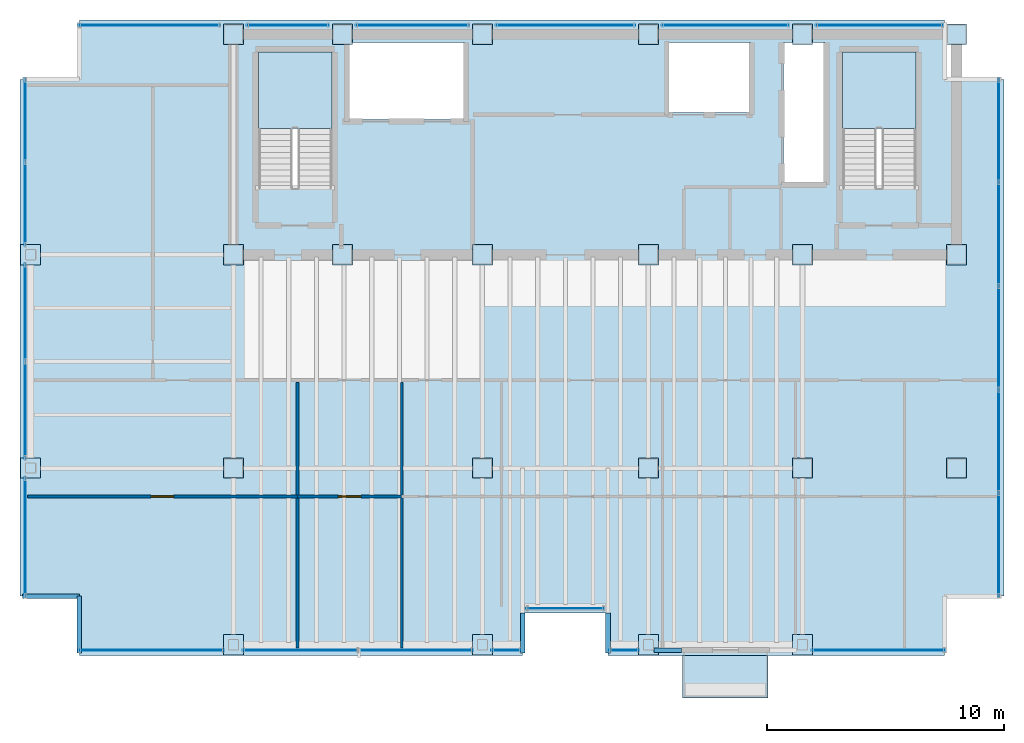
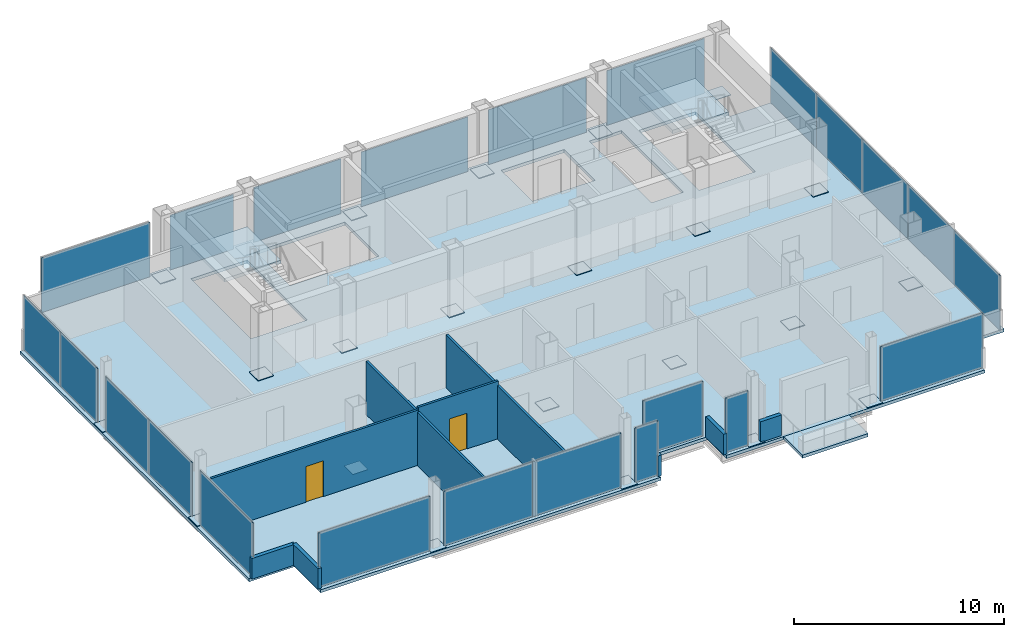
# One storey, part 13 of 17: 46 plates, 9 walls, 4 slabs, 2 doors, 7 openings, 18 elements without a shape of their own.
"""IFC4 building model written with IfcOpenShell, lengths in metres."""

from ifc_helpers import new_model, si_unit, direction, frame, frame_2d, origin, origin_2d, place, context, subcontext, project, spatial, polyline, rectangle, outline, extrude, material, layer, layer_set, type_object, element, fill, aggregate, save


model = new_model("IFC4")

# Units and contexts
model_context = context("Model", 3, precision=1e-05, world=origin(), true_north=direction((0.0, 1.0)))
body_context = subcontext(model_context, "Body", "Model", "MODEL_VIEW")
ifc_project = project(units=[si_unit("LENGTHUNIT", "METRE"), si_unit("AREAUNIT", "SQUARE_METRE"), si_unit("VOLUMEUNIT", "CUBIC_METRE"), si_unit("PLANEANGLEUNIT", "RADIAN"), si_unit("MASSUNIT", "GRAM", prefix="KILO")], contexts=[model_context])

# Site, building, storey
site_placement = place(None, origin())
site = spatial("IfcSite", under=ifc_project, at=site_placement, CompositionType="ELEMENT")
building_placement = place(site_placement, origin())
building = spatial("IfcBuilding", under=site, at=building_placement, Name="Noeulbin Bourse Tower", CompositionType="ELEMENT")
storey_placement = place(building_placement, frame((0.0, 0.0, 246.199951171875)))
storey = spatial("IfcBuildingStorey", under=building, at=storey_placement, Name="L61", CompositionType="ELEMENT", Elevation=246.199951171875)

# Curtain wall, plate
ifc_material_1 = material(Name="High-Selectivity Low-Iron Glazing", Category="glass")
curtain_wall_type = type_object("IfcCurtainWallType", Name="CW-SYS-4", PredefinedType="NOTDEFINED", material=ifc_material_1)
curtain_wall_1_placement = place(storey_placement, origin())
curtain_wall_1 = element("IfcCurtainWall", 1, at=curtain_wall_1_placement, inside=storey, type_object=curtain_wall_type, Name="Unitised Curtain Wall CW-L61-SREC", PredefinedType="NOTDEFINED")
ifc_layer_1 = layer(ifc_material_1, 0.035888671875)
ifc_layer_set_1 = layer_set([ifc_layer_1], Name="High-Selectivity Low-Iron Glazing")
plate_type_1 = type_object("IfcPlateType", Name="CW-SYS-4-PNL", PredefinedType="CURTAIN_PANEL", material=ifc_layer_set_1)
plate_1_placement = place(storey_placement, frame((27.5, 14.080078125, 0.0), z_axis=(0.0, 0.0, 1.0), x_axis=(1.0, 0.0, 0.0)))
plate_1 = element("IfcPlate", 2, at=plate_1_placement, type_object=plate_type_1, Name="Glazed Curtain Panel CW-L61-SREC-P00", PredefinedType="CURTAIN_PANEL", context=body_context, shape_type="SweptSolid", body=[
    extrude(rectangle(XDim=3.300048828125, YDim=0.035888671875, at=origin_2d()), origin(), (0.0, 0.0, 1.0), 3.179931640625),
])
aggregate(curtain_wall_1, [plate_1])

curtain_wall_2_placement = place(storey_placement, origin())
curtain_wall_2 = element("IfcCurtainWall", 3, at=curtain_wall_2_placement, inside=storey, type_object=curtain_wall_type, Name="Unitised Curtain Wall CW-L61-S1-S1", PredefinedType="NOTDEFINED")
plate_2_placement = place(storey_placement, frame((10.047607421875, 12.320068359375, 0.0), z_axis=(0.0, 0.0, 1.0), x_axis=(1.0, 0.0, 0.0)))
plate_2 = element("IfcPlate", 4, at=plate_2_placement, type_object=plate_type_1, Name="Glazed Curtain Panel CW-L61-S1-S1-P00", PredefinedType="CURTAIN_PANEL", context=body_context, shape_type="SweptSolid", body=[
    extrude(rectangle(XDim=6.135009765625, YDim=0.035888671875, at=origin_2d()), origin(), (0.0, 0.0, 1.0), 3.179931640625),
])
aggregate(curtain_wall_2, [plate_2])

# Curtain wall, plates
curtain_wall_3_placement = place(storey_placement, origin())
curtain_wall_3 = element("IfcCurtainWall", 5, at=curtain_wall_3_placement, inside=storey, type_object=curtain_wall_type, Name="Unitised Curtain Wall CW-L61-S1-S2", PredefinedType="NOTDEFINED")
plate_3_placement = place(storey_placement, frame((16.3173828125, 12.320068359375, 0.0), z_axis=(0.0, 0.0, 1.0), x_axis=(1.0, 0.0, 0.0)))
plate_3 = element("IfcPlate", 6, at=plate_3_placement, type_object=plate_type_1, Name="Glazed Curtain Panel CW-L61-S1-S2-P00", PredefinedType="CURTAIN_PANEL", context=body_context, shape_type="SweptSolid", body=[
    extrude(rectangle(XDim=4.864990234375, YDim=0.035888671875, at=origin_2d()), origin(), (0.0, 0.0, 1.0), 3.179931640625),
])
plate_4_placement = place(storey_placement, frame((21.1826171875, 12.320068359375, 0.0), z_axis=(0.0, 0.0, 1.0), x_axis=(1.0, 0.0, 0.0)))
plate_4 = element("IfcPlate", 7, at=plate_4_placement, type_object=plate_type_1, Name="Glazed Curtain Panel CW-L61-S1-S2-P01", PredefinedType="CURTAIN_PANEL", context=body_context, shape_type="SweptSolid", body=[
    extrude(rectangle(XDim=4.864990234375, YDim=0.035888671875, at=origin_2d()), origin(), (0.0, 0.0, 1.0), 3.179931640625),
])
aggregate(curtain_wall_3, [plate_3, plate_4])

# Curtain wall, plate
curtain_wall_4_placement = place(storey_placement, origin())
curtain_wall_4 = element("IfcCurtainWall", 8, at=curtain_wall_4_placement, inside=storey, type_object=curtain_wall_type, Name="Unitised Curtain Wall CW-L61-S1-S3", PredefinedType="NOTDEFINED")
plate_5_placement = place(storey_placement, frame((25.017578125, 12.320068359375, 0.0), z_axis=(0.0, 0.0, 1.0), x_axis=(1.0, 0.0, 0.0)))
plate_5 = element("IfcPlate", 9, at=plate_5_placement, type_object=plate_type_1, Name="Glazed Curtain Panel CW-L61-S1-S3-P00", PredefinedType="CURTAIN_PANEL", context=body_context, shape_type="SweptSolid", body=[
    extrude(rectangle(XDim=1.264892578125, YDim=0.035888671875, at=origin_2d()), origin(), (0.0, 0.0, 1.0), 3.179931640625),
])
aggregate(curtain_wall_4, [plate_5])

curtain_wall_5_placement = place(storey_placement, origin())
curtain_wall_5 = element("IfcCurtainWall", 10, at=curtain_wall_5_placement, inside=storey, type_object=curtain_wall_type, Name="Unitised Curtain Wall CW-L61-S2", PredefinedType="NOTDEFINED")
plate_6_placement = place(storey_placement, frame((29.982421875, 12.320068359375, 0.0), z_axis=(0.0, 0.0, 1.0), x_axis=(1.0, 0.0, 0.0)))
plate_6 = element("IfcPlate", 11, at=plate_6_placement, type_object=plate_type_1, Name="Glazed Curtain Panel CW-L61-S2-P00", PredefinedType="CURTAIN_PANEL", context=body_context, shape_type="SweptSolid", body=[
    extrude(rectangle(XDim=1.264892578125, YDim=0.035888671875, at=origin_2d()), origin(), (0.0, 0.0, 1.0), 3.179931640625),
])
aggregate(curtain_wall_5, [plate_6])

curtain_wall_6_placement = place(storey_placement, origin())
curtain_wall_6 = element("IfcCurtainWall", 12, at=curtain_wall_6_placement, inside=storey, type_object=curtain_wall_type, Name="Unitised Curtain Wall CW-L61-S3", PredefinedType="NOTDEFINED")
plate_7_placement = place(storey_placement, frame((40.702392578125, 12.320068359375, 0.0), z_axis=(0.0, 0.0, 1.0), x_axis=(1.0, 0.0, 0.0)))
plate_7 = element("IfcPlate", 13, at=plate_7_placement, type_object=plate_type_1, Name="Glazed Curtain Panel CW-L61-S3-P00", PredefinedType="CURTAIN_PANEL", context=body_context, shape_type="SweptSolid", body=[
    extrude(rectangle(XDim=5.635009765625, YDim=0.035888671875, at=origin_2d()), origin(), (0.0, 0.0, 1.0), 3.179931640625),
])
aggregate(curtain_wall_6, [plate_7])

curtain_wall_7_placement = place(storey_placement, origin())
curtain_wall_7 = element("IfcCurtainWall", 14, at=curtain_wall_7_placement, inside=storey, type_object=curtain_wall_type, Name="Unitised Curtain Wall CW-L61-N-S1", PredefinedType="NOTDEFINED")
plate_8_placement = place(storey_placement, frame((9.9599609375, 38.679931640625, 0.0), z_axis=(0.0, 0.0, 1.0), x_axis=(1.0, 0.0, 0.0)))
plate_8 = element("IfcPlate", 15, at=plate_8_placement, type_object=plate_type_1, Name="Glazed Curtain Panel CW-L61-N-S1-P00", PredefinedType="CURTAIN_PANEL", context=body_context, shape_type="SweptSolid", body=[
    extrude(rectangle(XDim=5.9599609375, YDim=0.035888671875, at=origin_2d()), origin(), (0.0, 0.0, 1.0), 3.179931640625),
])
aggregate(curtain_wall_7, [plate_8])

curtain_wall_8_placement = place(storey_placement, origin())
curtain_wall_8 = element("IfcCurtainWall", 16, at=curtain_wall_8_placement, inside=storey, type_object=curtain_wall_type, Name="Unitised Curtain Wall CW-L61-N-S2", PredefinedType="NOTDEFINED")
plate_9_placement = place(storey_placement, frame((15.800048828125, 38.679931640625, 0.0), z_axis=(0.0, 0.0, 1.0), x_axis=(1.0, 0.0, 0.0)))
plate_9 = element("IfcPlate", 17, at=plate_9_placement, type_object=plate_type_1, Name="Glazed Curtain Panel CW-L61-N-S2-P00", PredefinedType="CURTAIN_PANEL", context=body_context, shape_type="SweptSolid", body=[
    extrude(rectangle(XDim=3.47998046875, YDim=0.035888671875, at=origin_2d()), origin(), (0.0, 0.0, 1.0), 3.179931640625),
])
aggregate(curtain_wall_8, [plate_9])

curtain_wall_9_placement = place(storey_placement, origin())
curtain_wall_9 = element("IfcCurtainWall", 18, at=curtain_wall_9_placement, inside=storey, type_object=curtain_wall_type, Name="Unitised Curtain Wall CW-L61-N-S3", PredefinedType="NOTDEFINED")
plate_10_placement = place(storey_placement, frame((21.050048828125, 38.679931640625, 0.0), z_axis=(0.0, 0.0, 1.0), x_axis=(1.0, 0.0, 0.0)))
plate_10 = element("IfcPlate", 19, at=plate_10_placement, type_object=plate_type_1, Name="Glazed Curtain Panel CW-L61-N-S3-P00", PredefinedType="CURTAIN_PANEL", context=body_context, shape_type="SweptSolid", body=[
    extrude(rectangle(XDim=4.780029296875, YDim=0.035888671875, at=origin_2d()), origin(), (0.0, 0.0, 1.0), 3.179931640625),
])
aggregate(curtain_wall_9, [plate_10])

curtain_wall_10_placement = place(storey_placement, origin())
curtain_wall_10 = element("IfcCurtainWall", 20, at=curtain_wall_10_placement, inside=storey, type_object=curtain_wall_type, Name="Unitised Curtain Wall CW-L61-N-S4", PredefinedType="NOTDEFINED")
plate_11_placement = place(storey_placement, frame((27.5, 38.679931640625, 0.0), z_axis=(0.0, 0.0, 1.0), x_axis=(1.0, 0.0, 0.0)))
plate_11 = element("IfcPlate", 21, at=plate_11_placement, type_object=plate_type_1, Name="Glazed Curtain Panel CW-L61-N-S4-P00", PredefinedType="CURTAIN_PANEL", context=body_context, shape_type="SweptSolid", body=[
    extrude(rectangle(XDim=5.8798828125, YDim=0.035888671875, at=origin_2d()), origin(), (0.0, 0.0, 1.0), 3.179931640625),
])
aggregate(curtain_wall_10, [plate_11])

curtain_wall_11_placement = place(storey_placement, origin())
curtain_wall_11 = element("IfcCurtainWall", 22, at=curtain_wall_11_placement, inside=storey, type_object=curtain_wall_type, Name="Unitised Curtain Wall CW-L61-N-S5", PredefinedType="NOTDEFINED")
plate_12_placement = place(storey_placement, frame((34.25, 38.679931640625, 0.0), z_axis=(0.0, 0.0, 1.0), x_axis=(1.0, 0.0, 0.0)))
plate_12 = element("IfcPlate", 23, at=plate_12_placement, type_object=plate_type_1, Name="Glazed Curtain Panel CW-L61-N-S5-P00", PredefinedType="CURTAIN_PANEL", context=body_context, shape_type="SweptSolid", body=[
    extrude(rectangle(XDim=5.3798828125, YDim=0.035888671875, at=origin_2d()), origin(), (0.0, 0.0, 1.0), 3.179931640625),
])
aggregate(curtain_wall_11, [plate_12])

curtain_wall_12_placement = place(storey_placement, origin())
curtain_wall_12 = element("IfcCurtainWall", 24, at=curtain_wall_12_placement, inside=storey, type_object=curtain_wall_type, Name="Unitised Curtain Wall CW-L61-N-S6", PredefinedType="NOTDEFINED")
plate_13_placement = place(storey_placement, frame((40.75, 38.679931640625, 0.0), z_axis=(0.0, 0.0, 1.0), x_axis=(1.0, 0.0, 0.0)))
plate_13 = element("IfcPlate", 25, at=plate_13_placement, type_object=plate_type_1, Name="Glazed Curtain Panel CW-L61-N-S6-P00", PredefinedType="CURTAIN_PANEL", context=body_context, shape_type="SweptSolid", body=[
    extrude(rectangle(XDim=5.3798828125, YDim=0.035888671875, at=origin_2d()), origin(), (0.0, 0.0, 1.0), 3.179931640625),
])
aggregate(curtain_wall_12, [plate_13])

curtain_wall_13_placement = place(storey_placement, origin())
curtain_wall_13 = element("IfcCurtainWall", 26, at=curtain_wall_13_placement, inside=storey, type_object=curtain_wall_type, Name="Unitised Curtain Wall CW-L61-W-S1", PredefinedType="NOTDEFINED")
plate_14_placement = place(storey_placement, frame((4.719970703125, 17.097412109375, 0.0), z_axis=(0.0, 0.0, 1.0), x_axis=(0.0, 1.0, 0.0)))
plate_14 = element("IfcPlate", 27, at=plate_14_placement, type_object=plate_type_1, Name="Glazed Curtain Panel CW-L61-W-S1-P00", PredefinedType="CURTAIN_PANEL", context=body_context, shape_type="SweptSolid", body=[
    extrude(rectangle(XDim=5.034912109375, YDim=0.035888671875, at=origin_2d()), origin(), (0.0, 0.0, 1.0), 3.179931640625),
])
aggregate(curtain_wall_13, [plate_14])

# Curtain wall, plates
curtain_wall_14_placement = place(storey_placement, origin())
curtain_wall_14 = element("IfcCurtainWall", 28, at=curtain_wall_14_placement, inside=storey, type_object=curtain_wall_type, Name="Unitised Curtain Wall CW-L61-W-S2", PredefinedType="NOTDEFINED")
plate_15_placement = place(storey_placement, frame((4.719970703125, 22.4423828125, 0.0), z_axis=(0.0, 0.0, 1.0), x_axis=(0.0, 1.0, 0.0)))
plate_15 = element("IfcPlate", 29, at=plate_15_placement, type_object=plate_type_1, Name="Glazed Curtain Panel CW-L61-W-S2-P00", PredefinedType="CURTAIN_PANEL", context=body_context, shape_type="SweptSolid", body=[
    extrude(rectangle(XDim=4.114990234375, YDim=0.035888671875, at=origin_2d()), origin(), (0.0, 0.0, 1.0), 3.179931640625),
])
plate_16_placement = place(storey_placement, frame((4.719970703125, 26.5576171875, 0.0), z_axis=(0.0, 0.0, 1.0), x_axis=(0.0, 1.0, 0.0)))
plate_16 = element("IfcPlate", 30, at=plate_16_placement, type_object=plate_type_1, Name="Glazed Curtain Panel CW-L61-W-S2-P01", PredefinedType="CURTAIN_PANEL", context=body_context, shape_type="SweptSolid", body=[
    extrude(rectangle(XDim=4.114990234375, YDim=0.035888671875, at=origin_2d()), origin(), (0.0, 0.0, 1.0), 3.179931640625),
])
aggregate(curtain_wall_14, [plate_15, plate_16])

curtain_wall_15_placement = place(storey_placement, origin())
curtain_wall_15 = element("IfcCurtainWall", 31, at=curtain_wall_15_placement, inside=storey, type_object=curtain_wall_type, Name="Unitised Curtain Wall CW-L61-W-S3", PredefinedType="NOTDEFINED")
plate_17_placement = place(storey_placement, frame((4.719970703125, 31.143798828125, 0.0), z_axis=(0.0, 0.0, 1.0), x_axis=(0.0, 1.0, 0.0)))
plate_17 = element("IfcPlate", 32, at=plate_17_placement, type_object=plate_type_1, Name="Glazed Curtain Panel CW-L61-W-S3-P00", PredefinedType="CURTAIN_PANEL", context=body_context, shape_type="SweptSolid", body=[
    extrude(rectangle(XDim=3.517578125, YDim=0.035888671875, at=origin_2d()), origin(), (0.0, 0.0, 1.0), 3.179931640625),
])
plate_18_placement = place(storey_placement, frame((4.719970703125, 34.661376953125, 0.0), z_axis=(0.0, 0.0, 1.0), x_axis=(0.0, 1.0, 0.0)))
plate_18 = element("IfcPlate", 33, at=plate_18_placement, type_object=plate_type_1, Name="Glazed Curtain Panel CW-L61-W-S3-P01", PredefinedType="CURTAIN_PANEL", context=body_context, shape_type="SweptSolid", body=[
    extrude(rectangle(XDim=3.517578125, YDim=0.035888671875, at=origin_2d()), origin(), (0.0, 0.0, 1.0), 3.179931640625),
])
aggregate(curtain_wall_15, [plate_17, plate_18])

curtain_wall_16_placement = place(storey_placement, origin())
curtain_wall_16 = element("IfcCurtainWall", 34, at=curtain_wall_16_placement, inside=storey, type_object=curtain_wall_type, Name="Unitised Curtain Wall CW-L61-E", PredefinedType="NOTDEFINED")
plate_19_placement = place(storey_placement, frame((45.780029296875, 16.763916015625, 0.0), z_axis=(0.0, 0.0, 1.0), x_axis=(0.0, 1.0, 0.0)))
plate_19 = element("IfcPlate", 35, at=plate_19_placement, type_object=plate_type_1, Name="Glazed Curtain Panel CW-L61-E-P00", PredefinedType="CURTAIN_PANEL", context=body_context, shape_type="SweptSolid", body=[
    extrude(rectangle(XDim=4.367919921875, YDim=0.035888671875, at=origin_2d()), origin(), (0.0, 0.0, 1.0), 3.179931640625),
])
plate_20_placement = place(storey_placement, frame((45.780029296875, 21.132080078125, 0.0), z_axis=(0.0, 0.0, 1.0), x_axis=(0.0, 1.0, 0.0)))
plate_20 = element("IfcPlate", 36, at=plate_20_placement, type_object=plate_type_1, Name="Glazed Curtain Panel CW-L61-E-P01", PredefinedType="CURTAIN_PANEL", context=body_context, shape_type="SweptSolid", body=[
    extrude(rectangle(XDim=4.367919921875, YDim=0.035888671875, at=origin_2d()), origin(), (0.0, 0.0, 1.0), 3.179931640625),
])
plate_21_placement = place(storey_placement, frame((45.780029296875, 25.5, 0.0), z_axis=(0.0, 0.0, 1.0), x_axis=(0.0, 1.0, 0.0)))
plate_21 = element("IfcPlate", 37, at=plate_21_placement, type_object=plate_type_1, Name="Glazed Curtain Panel CW-L61-E-P02", PredefinedType="CURTAIN_PANEL", context=body_context, shape_type="SweptSolid", body=[
    extrude(rectangle(XDim=4.367919921875, YDim=0.035888671875, at=origin_2d()), origin(), (0.0, 0.0, 1.0), 3.179931640625),
])
plate_22_placement = place(storey_placement, frame((45.780029296875, 29.867919921875, 0.0), z_axis=(0.0, 0.0, 1.0), x_axis=(0.0, 1.0, 0.0)))
plate_22 = element("IfcPlate", 38, at=plate_22_placement, type_object=plate_type_1, Name="Glazed Curtain Panel CW-L61-E-P03", PredefinedType="CURTAIN_PANEL", context=body_context, shape_type="SweptSolid", body=[
    extrude(rectangle(XDim=4.367919921875, YDim=0.035888671875, at=origin_2d()), origin(), (0.0, 0.0, 1.0), 3.179931640625),
])
plate_23_placement = place(storey_placement, frame((45.780029296875, 34.236083984375, 0.0), z_axis=(0.0, 0.0, 1.0), x_axis=(0.0, 1.0, 0.0)))
plate_23 = element("IfcPlate", 39, at=plate_23_placement, type_object=plate_type_1, Name="Glazed Curtain Panel CW-L61-E-P04", PredefinedType="CURTAIN_PANEL", context=body_context, shape_type="SweptSolid", body=[
    extrude(rectangle(XDim=4.367919921875, YDim=0.035888671875, at=origin_2d()), origin(), (0.0, 0.0, 1.0), 3.179931640625),
])
aggregate(curtain_wall_16, [plate_19, plate_20, plate_21, plate_22, plate_23])

# Plates
ifc_material_2 = material(Name="Steel S355", Category="steel")
ifc_layer_2 = layer(ifc_material_2, 0.030029296875)
ifc_layer_set_2 = layer_set([ifc_layer_2], Name="Steel S355")
plate_type_2 = type_object("IfcPlateType", Name="PLT-BN1", PredefinedType="USERDEFINED", material=ifc_layer_set_2)
for number, where, z_axis, x_axis, name in (
    (40, (13.5, 29.0, 0.0048828125), (0.0, 0.0, 1.0), (1.0, 0.0, 0.0), "Mega-Column Splice Plate BN1-L61-01"),
    (41, (13.5, 38.300048828125, 0.0048828125), (0.0, 0.0, 1.0), (1.0, 0.0, 0.0), "Mega-Column Splice Plate BN1-L61-02"),
    (42, (18.10009765625, 29.0, 0.0048828125), (0.0, 0.0, 1.0), (1.0, 0.0, 0.0), "Mega-Column Splice Plate BN1-L61-03"),
    (43, (18.10009765625, 38.300048828125, 0.0048828125), (0.0, 0.0, 1.0), (1.0, 0.0, 0.0), "Mega-Column Splice Plate BN1-L61-04"),
    (44, (24.0, 29.0, 0.0048828125), (0.0, 0.0, 1.0), (1.0, 0.0, 0.0), "Mega-Column Splice Plate BN1-L61-05"),
    (45, (24.0, 38.300048828125, 0.0048828125), (0.0, 0.0, 1.0), (1.0, 0.0, 0.0), "Mega-Column Splice Plate BN1-L61-06"),
    (46, (31.0, 29.0, 0.0048828125), (0.0, 0.0, 1.0), (1.0, 0.0, 0.0), "Mega-Column Splice Plate BN1-L61-07"),
    (47, (31.0, 38.300048828125, 0.0048828125), (0.0, 0.0, 1.0), (1.0, 0.0, 0.0), "Mega-Column Splice Plate BN1-L61-08"),
    (48, (37.5, 29.0, 0.0048828125), (0.0, 0.0, 1.0), (1.0, 0.0, 0.0), "Mega-Column Splice Plate BN1-L61-09"),
    (49, (37.5, 38.300048828125, 0.0048828125), (0.0, 0.0, 1.0), (1.0, 0.0, 0.0), "Mega-Column Splice Plate BN1-L61-10"),
    (50, (44.0, 29.0, 0.0048828125), (0.0, 0.0, 1.0), (1.0, 0.0, 0.0), "Mega-Column Splice Plate BN1-L61-11"),
    (51, (44.0, 38.300048828125, 0.0048828125), (0.0, 0.0, 1.0), (1.0, 0.0, 0.0), "Mega-Column Splice Plate BN1-L61-12"),
    (52, (13.5, 20.0, 0.0048828125), (0.0, 0.0, 1.0), (1.0, 0.0, 0.0), "Mega-Column Splice Plate BN1-L61-13"),
    (53, (24.0, 20.0, 0.0048828125), (0.0, 0.0, 1.0), (1.0, 0.0, 0.0), "Mega-Column Splice Plate BN1-L61-14"),
    (54, (31.0, 20.0, 0.0048828125), (0.0, 0.0, 1.0), (1.0, 0.0, 0.0), "Mega-Column Splice Plate BN1-L61-15"),
    (55, (37.5, 20.0, 0.0048828125), (0.0, 0.0, 1.0), (1.0, 0.0, 0.0), "Mega-Column Splice Plate BN1-L61-16"),
    (56, (44.0, 20.0, 0.0048828125), (0.0, 0.0, 1.0), (1.0, 0.0, 0.0), "Mega-Column Splice Plate BN1-L61-17"),
    (57, (4.949951171875, 20.0, 0.0048828125), (0.0, 0.0, 1.0), (1.0, 0.0, 0.0), "Perimeter Column Splice Plate BN1-L61-01"),
    (58, (4.949951171875, 29.0, 0.0048828125), (0.0, 0.0, 1.0), (1.0, 0.0, 0.0), "Perimeter Column Splice Plate BN1-L61-02"),
    (59, (13.5, 12.550048828125, 0.0048828125), (0.0, 0.0, 1.0), (1.0, 0.0, 0.0), "Perimeter Column Splice Plate BN1-L61-03"),
    (60, (24.0, 12.550048828125, 0.0048828125), (0.0, 0.0, 1.0), (1.0, 0.0, 0.0), "Perimeter Column Splice Plate BN1-L61-04"),
    (61, (31.0, 12.550048828125, 0.0048828125), (0.0, 0.0, 1.0), (1.0, 0.0, 0.0), "Perimeter Column Splice Plate BN1-L61-05"),
    (62, (37.5, 12.550048828125, 0.0048828125), (0.0, 0.0, 1.0), (1.0, 0.0, 0.0), "Perimeter Column Splice Plate BN1-L61-06"),
):
    element("IfcPlate", number, at=place(storey_placement, frame(where, z_axis=z_axis, x_axis=x_axis)), inside=storey, type_object=plate_type_2, Name=name, ObjectType="SPLICE PLATE", PredefinedType="USERDEFINED", context=body_context, shape_type="SweptSolid", body=[
        extrude(rectangle(XDim=0.85009765625, YDim=0.85009765625, at=origin_2d()), origin(), (0.0, 0.0, 1.0), 0.030029296875),
    ])

# Stair, slab
ifc_material_3 = material(Name="Concrete C40/50", Category="concrete")
stair_type = type_object("IfcStairType", Name="STR-CORE-1560", PredefinedType="HALF_TURN_STAIR", material=ifc_material_3)
stair_1_placement = place(storey_placement, origin())
stair_1 = element("IfcStair", 63, at=stair_1_placement, inside=storey, type_object=stair_type, Name="L61 ST-1", PredefinedType="HALF_TURN_STAIR")
ifc_layer_3 = layer(ifc_material_3, 0.199951171875)
ifc_layer_set_3 = layer_set([ifc_layer_3], Name="Concrete C40/50")
slab_type_1 = type_object("IfcSlabType", Name="SLB-LND-200", PredefinedType="LANDING", material=ifc_layer_set_3)
slab_1_placement = place(storey_placement, frame((0.0, 0.0, 1.75)))
slab_1 = element("IfcSlab", 64, at=slab_1_placement, type_object=slab_type_1, Name="ST-1 landing 1", PredefinedType="LANDING", context=body_context, shape_type="SweptSolid", body=[
    extrude(outline(polyline([(17.64990234375, 34.330078125), (17.64990234375, 37.5439453125), (14.550048828125, 37.5439453125), (14.550048828125, 34.330078125), (17.64990234375, 34.330078125)])), origin(), (0.0, 0.0, 1.0), 0.199951171875),
])
aggregate(stair_1, [slab_1])

stair_2_placement = place(storey_placement, origin())
stair_2 = element("IfcStair", 65, at=stair_2_placement, inside=storey, type_object=stair_type, Name="L61 ST-2", PredefinedType="HALF_TURN_STAIR")
slab_2_placement = place(storey_placement, frame((0.0, 0.0, 1.75)))
slab_2 = element("IfcSlab", 66, at=slab_2_placement, type_object=slab_type_1, Name="ST-2 landing 1", PredefinedType="LANDING", context=body_context, shape_type="SweptSolid", body=[
    extrude(outline(polyline([(42.280029296875, 34.330078125), (42.280029296875, 37.5439453125), (39.179931640625, 37.5439453125), (39.179931640625, 34.330078125), (42.280029296875, 34.330078125)])), origin(), (0.0, 0.0, 1.0), 0.199951171875),
])
aggregate(stair_2, [slab_2])

# Slab, openings
ifc_layer_4 = layer(ifc_material_3, 0.179931640625)
ifc_layer_set_4 = layer_set([ifc_layer_4], Name="Concrete C40/50")
slab_type_2 = type_object("IfcSlabType", Name="SLB-TYP-180", PredefinedType="FLOOR", material=ifc_layer_set_4)
slab_3_placement = place(storey_placement, frame((0.0, 0.0, -0.179931640625)))
slab_3 = element("IfcSlab", 67, at=slab_3_placement, inside=storey, type_object=slab_type_2, Name="Tower Structural Floor Slab L61", PredefinedType="FLOOR", context=body_context, shape_type="SweptSolid", body=[
    extrude(outline(polyline([(7.0, 12.10009765625), (25.699951171875, 12.10009765625), (25.699951171875, 13.89990234375), (29.300048828125, 13.89990234375), (29.300048828125, 12.10009765625), (43.5, 12.10009765625), (43.5, 14.60009765625), (46.0, 14.60009765625), (46.0, 36.39990234375), (43.5, 36.39990234375), (43.5, 38.89990234375), (7.0, 38.89990234375), (7.0, 36.39990234375), (4.5, 36.39990234375), (4.5, 14.60009765625), (7.0, 14.60009765625), (7.0, 12.10009765625)]), holes=[polyline([(17.64990234375, 31.81005859375), (17.64990234375, 37.5439453125), (14.550048828125, 37.5439453125), (14.550048828125, 31.81005859375), (17.64990234375, 31.81005859375)]), polyline([(42.280029296875, 31.81005859375), (42.280029296875, 37.5439453125), (39.179931640625, 37.5439453125), (39.179931640625, 31.81005859375), (42.280029296875, 31.81005859375)]), polyline([(18.35009765625, 34.699951171875), (23.25, 34.699951171875), (23.25, 37.949951171875), (18.35009765625, 37.949951171875), (18.35009765625, 34.699951171875)]), polyline([(36.699951171875, 32.050048828125), (38.449951171875, 32.050048828125), (38.449951171875, 37.949951171875), (36.699951171875, 37.949951171875), (36.699951171875, 32.050048828125)]), polyline([(31.85009765625, 35.0), (35.300048828125, 35.0), (35.300048828125, 37.949951171875), (31.85009765625, 37.949951171875), (31.85009765625, 35.0)])]), origin(), (0.0, 0.0, 1.0), 0.179931640625),
])
opening_1_placement = place(slab_3_placement, frame((0.0, 0.0, -0.010009765625)))
element("IfcOpeningElement", 68, at=opening_1_placement, cuts=slab_3, Name="Slab Shaft Opening SLB-L61-TWR-1", PredefinedType="OPENING", context=body_context, shape_type="SweptSolid", body=[
    extrude(outline(polyline([(17.64990234375, 31.81005859375), (17.64990234375, 37.5439453125), (14.550048828125, 37.5439453125), (14.550048828125, 31.81005859375), (17.64990234375, 31.81005859375)])), origin(), (0.0, 0.0, 1.0), 0.199951171875),
])
opening_2_placement = place(slab_3_placement, frame((0.0, 0.0, -0.010009765625)))
element("IfcOpeningElement", 69, at=opening_2_placement, cuts=slab_3, Name="Slab Shaft Opening SLB-L61-TWR-2", PredefinedType="OPENING", context=body_context, shape_type="SweptSolid", body=[
    extrude(outline(polyline([(42.280029296875, 31.81005859375), (42.280029296875, 37.5439453125), (39.179931640625, 37.5439453125), (39.179931640625, 31.81005859375), (42.280029296875, 31.81005859375)])), origin(), (0.0, 0.0, 1.0), 0.199951171875),
])
opening_3_placement = place(slab_3_placement, frame((0.0, 0.0, -0.010009765625)))
element("IfcOpeningElement", 70, at=opening_3_placement, cuts=slab_3, Name="Slab Shaft Opening SLB-L61-TWR-3", PredefinedType="OPENING", context=body_context, shape_type="SweptSolid", body=[
    extrude(outline(polyline([(18.35009765625, 34.699951171875), (23.25, 34.699951171875), (23.25, 37.949951171875), (18.35009765625, 37.949951171875), (18.35009765625, 34.699951171875)])), origin(), (0.0, 0.0, 1.0), 0.199951171875),
])
opening_4_placement = place(slab_3_placement, frame((0.0, 0.0, -0.010009765625)))
element("IfcOpeningElement", 71, at=opening_4_placement, cuts=slab_3, Name="Slab Shaft Opening SLB-L61-TWR-4", PredefinedType="OPENING", context=body_context, shape_type="SweptSolid", body=[
    extrude(outline(polyline([(36.699951171875, 32.050048828125), (38.449951171875, 32.050048828125), (38.449951171875, 37.949951171875), (36.699951171875, 37.949951171875), (36.699951171875, 32.050048828125)])), origin(), (0.0, 0.0, 1.0), 0.199951171875),
])
opening_5_placement = place(slab_3_placement, frame((0.0, 0.0, -0.010009765625)))
element("IfcOpeningElement", 72, at=opening_5_placement, cuts=slab_3, Name="Slab Shaft Opening SLB-L61-TWR-5", PredefinedType="OPENING", context=body_context, shape_type="SweptSolid", body=[
    extrude(outline(polyline([(31.85009765625, 35.0), (35.300048828125, 35.0), (35.300048828125, 37.949951171875), (31.85009765625, 37.949951171875), (31.85009765625, 35.0)])), origin(), (0.0, 0.0, 1.0), 0.199951171875),
])

# Slab
slab_4_placement = place(storey_placement, frame((0.0, 0.0, -0.179931640625)))
element("IfcSlab", 73, at=slab_4_placement, inside=storey, type_object=slab_type_2, Name="Cantilevered Tree-Balcony Slab L61", PredefinedType="FLOOR", context=body_context, shape_type="SweptSolid", body=[
    extrude(outline(polyline([(32.449951171875, 10.300048828125), (36.050048828125, 10.300048828125), (36.050048828125, 12.10009765625), (32.449951171875, 12.10009765625), (32.449951171875, 10.300048828125)])), origin(), (0.0, 0.0, 1.0), 0.179931640625),
])

# Walls
ifc_layer_5 = layer(ifc_material_3, 0.199951171875)
ifc_layer_set_5 = layer_set([ifc_layer_5], Name="Concrete C40/50")
wall_type_1 = type_object("IfcWallType", Name="WAL-PAR-200", PredefinedType="PARAPET", material=ifc_layer_set_5)
wall_1_placement = place(storey_placement, frame((31.2451171875, 12.320068359375, 0.0), z_axis=(0.0, 0.0, 1.0), x_axis=(1.0, 0.0, 0.0)))
element("IfcWall", 74, at=wall_1_placement, inside=storey, type_object=wall_type_1, Name="Perimeter Pier Spandrel Parapet L61-S1", PredefinedType="PARAPET", context=body_context, shape_type="SweptSolid", body=[
    extrude(rectangle(XDim=1.15478515625, YDim=0.199951171875, at=frame_2d((0.577392578125, 0.0))), origin(), (0.0, 0.0, 1.0), 1.199951171875),
])
wall_2_placement = place(storey_placement, frame((4.60009765625, 14.60009765625, 0.0), z_axis=(0.0, 0.0, 1.0), x_axis=(1.0, 0.0, 0.0)))
element("IfcWall", 75, at=wall_2_placement, inside=storey, type_object=wall_type_1, Name="Corner Notch Parapet L61-SW1", PredefinedType="PARAPET", context=body_context, shape_type="SweptSolid", body=[
    extrude(rectangle(XDim=2.39990234375, YDim=0.199951171875, at=frame_2d((1.199951171875, 0.0))), origin(), (0.0, 0.0, 1.0), 1.199951171875),
])
wall_3_placement = place(storey_placement, frame((7.0, 14.60009765625, 0.0), z_axis=(0.0, 0.0, 1.0), x_axis=(0.0, -1.0, 0.0)))
element("IfcWall", 76, at=wall_3_placement, inside=storey, type_object=wall_type_1, Name="Corner Notch Parapet L61-SW2", PredefinedType="PARAPET", context=body_context, shape_type="SweptSolid", body=[
    extrude(rectangle(XDim=2.400146484375, YDim=0.199951171875, at=frame_2d((1.2001953125, 0.0))), origin(), (0.0, 0.0, 1.0), 1.199951171875),
])
for number, where, z_axis, x_axis, name in (
    (77, (25.699951171875, 12.199951171875, 0.0), (0.0, 0.0, 1.0), (0.0, 1.0, 0.0), "Sky-Garden Recess Parapet L61-W"),
    (78, (29.300048828125, 13.89990234375, 0.0), (0.0, 0.0, 1.0), (0.0, -1.0, 0.0), "Sky-Garden Recess Parapet L61-E"),
):
    element("IfcWall", number, at=place(storey_placement, frame(where, z_axis=z_axis, x_axis=x_axis)), inside=storey, type_object=wall_type_1, Name=name, PredefinedType="PARAPET", context=body_context, shape_type="SweptSolid", body=[
        extrude(rectangle(XDim=1.699951171875, YDim=0.199951171875, at=frame_2d((0.85009765625, 0.0))), origin(), (0.0, 0.0, 1.0), 1.199951171875),
    ])

# Wall, opening, door
ifc_material_4 = material(Name="Steel Stud Gypsum Partition", Category="steel")
ifc_layer_6 = layer(ifc_material_4, 0.1201171875)
ifc_layer_set_6 = layer_set([ifc_layer_6], Name="Steel Stud Gypsum Partition")
wall_type_2 = type_object("IfcWallType", Name="WAL-PRT-120", PredefinedType="PARTITIONING", material=ifc_layer_set_6)
wall_4_placement = place(storey_placement, frame((4.81005859375, 18.800048828125, 0.0), z_axis=(0.0, 0.0, 1.0), x_axis=(1.0, 0.0, 0.0)))
wall_4 = element("IfcWall", 79, at=wall_4_placement, inside=storey, type_object=wall_type_2, Name="Interior Partition Wall L61-06", PredefinedType="PARTITIONING", context=body_context, shape_type="SweptSolid", body=[
    extrude(rectangle(XDim=11.389892578125, YDim=0.1201171875, at=frame_2d((5.69482421875, 0.0))), origin(), (0.0, 0.0, 1.0), 3.199951171875),
])
opening_6_placement = place(wall_4_placement, frame((5.219970703125, 0.0, 0.0)))
opening_6 = element("IfcOpeningElement", 80, at=opening_6_placement, cuts=wall_4, Name="Opening ID-09", PredefinedType="OPENING", context=body_context, shape_type="SweptSolid", body=[
    extrude(rectangle(XDim=0.949951171875, YDim=2.080078125, at=frame_2d((0.47509765625, 1.0400390625))), frame((0.0, 0.070068359375, 0.0), z_axis=(0.0, -1.0, 0.0), x_axis=(1.0, 0.0, 0.0)), (0.0, 0.0, 1.0), 0.14013671875),
])
ifc_material_5 = material(Name="Acoustic Solid-Core Timber", Category="wood")
door_type = type_object("IfcDoorType", Name="DR-SINGLE-950", OperationType="SINGLE_SWING_LEFT", PredefinedType="DOOR", material=ifc_material_5)
door_1_placement = place(opening_6_placement, origin())
door_1 = element("IfcDoor", 81, at=door_1_placement, inside=storey, type_object=door_type, Name="Interior Door L61-08", OperationType="SINGLE_SWING_RIGHT", OverallHeight=2.080078125, OverallWidth=0.949951171875, PredefinedType="DOOR", context=body_context, shape_type="SweptSolid", body=[
    extrude(rectangle(XDim=0.949951171875, YDim=2.080078125, at=frame_2d((0.47509765625, 1.0400390625))), frame((0.0, 0.02490234375, 0.0), z_axis=(0.0, -1.0, 0.0), x_axis=(1.0, 0.0, 0.0)), (0.0, 0.0, 1.0), 0.050048828125),
])
fill(opening_6, door_1)

wall_5_placement = place(storey_placement, frame((16.199951171875, 18.800048828125, 0.0), z_axis=(0.0, 0.0, 1.0), x_axis=(1.0, 0.0, 0.0)))
wall_5 = element("IfcWall", 82, at=wall_5_placement, inside=storey, type_object=wall_type_2, Name="Interior Partition Wall L61-07", PredefinedType="PARTITIONING", context=body_context, shape_type="SweptSolid", body=[
    extrude(rectangle(XDim=4.400146484375, YDim=0.1201171875, at=frame_2d((2.2001953125, 0.0))), origin(), (0.0, 0.0, 1.0), 3.35009765625),
])
opening_7_placement = place(wall_5_placement, frame((1.72509765625, 0.0, 0.0)))
opening_7 = element("IfcOpeningElement", 83, at=opening_7_placement, cuts=wall_5, Name="Opening ID-09", PredefinedType="OPENING", context=body_context, shape_type="SweptSolid", body=[
    extrude(rectangle(XDim=0.949951171875, YDim=2.080078125, at=frame_2d((0.47509765625, 1.0400390625))), frame((0.0, 0.070068359375, 0.0), z_axis=(0.0, -1.0, 0.0), x_axis=(1.0, 0.0, 0.0)), (0.0, 0.0, 1.0), 0.14013671875),
])
door_2_placement = place(opening_7_placement, origin())
door_2 = element("IfcDoor", 84, at=door_2_placement, inside=storey, type_object=door_type, Name="Interior Door L61-10", OperationType="SINGLE_SWING_RIGHT", OverallHeight=2.080078125, OverallWidth=0.949951171875, PredefinedType="DOOR", context=body_context, shape_type="SweptSolid", body=[
    extrude(rectangle(XDim=0.949951171875, YDim=2.080078125, at=frame_2d((0.47509765625, 1.0400390625))), frame((0.0, 0.02490234375, 0.0), z_axis=(0.0, -1.0, 0.0), x_axis=(1.0, 0.0, 0.0)), (0.0, 0.0, 1.0), 0.050048828125),
])
fill(opening_7, door_2)

# Walls
for number, where, z_axis, x_axis, name in (
    (85, (16.199951171875, 12.409912109375, 0.0), (0.0, 0.0, 1.0), (0.0, 1.0, 0.0), "Interior Partition Wall L61-20"),
    (86, (20.60009765625, 12.409912109375, 0.0), (0.0, 0.0, 1.0), (0.0, 1.0, 0.0), "Interior Partition Wall L61-21"),
):
    element("IfcWall", number, at=place(storey_placement, frame(where, z_axis=z_axis, x_axis=x_axis)), inside=storey, type_object=wall_type_2, Name=name, PredefinedType="PARTITIONING", context=body_context, shape_type="SweptSolid", body=[
        extrude(rectangle(XDim=11.205078125, YDim=0.1201171875, at=frame_2d((5.6025390625, 0.0))), origin(), (0.0, 0.0, 1.0), 3.10009765625),
    ])

save(model, "model.ifc")
